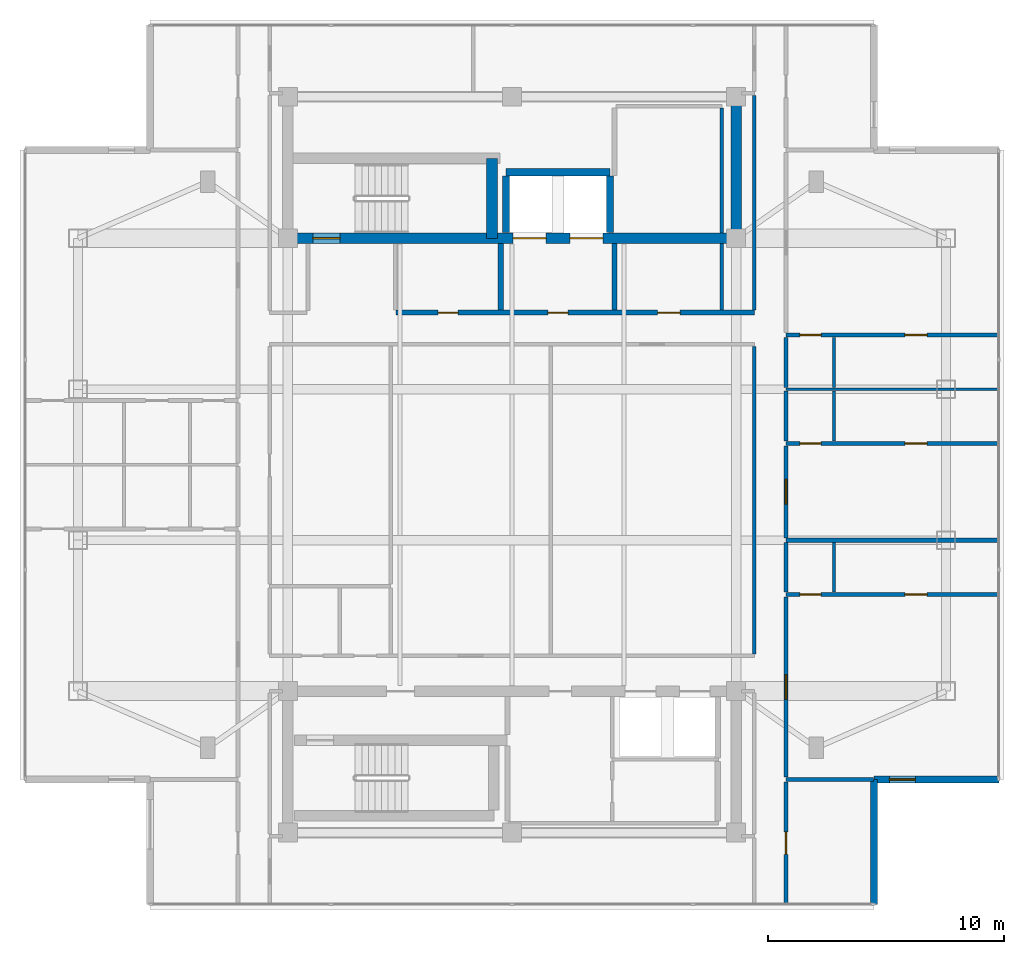
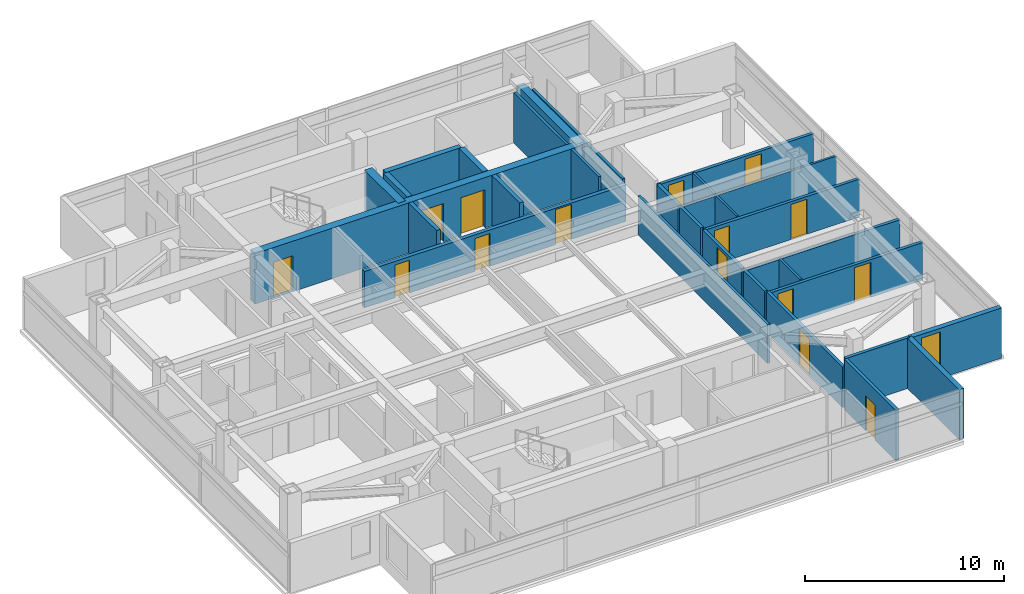
# One storey, part 8 of 12: 30 walls, 15 doors, 1 window, 16 openings.
"""IFC4 building model written with IfcOpenShell, lengths in metres."""

from ifc_helpers import new_model, si_unit, direction, frame, frame_2d, origin, place, context, subcontext, project, spatial, rectangle, extrude, material, layer, layer_set, type_object, element, fill, save


model = new_model("IFC4")

# Units and contexts
model_context = context("Model", 3, precision=1e-05, world=origin(), true_north=direction((0.0, 1.0)))
body_context = subcontext(model_context, "Body", "Model", "MODEL_VIEW")
ifc_project = project(units=[si_unit("LENGTHUNIT", "METRE"), si_unit("AREAUNIT", "SQUARE_METRE"), si_unit("VOLUMEUNIT", "CUBIC_METRE"), si_unit("PLANEANGLEUNIT", "RADIAN"), si_unit("MASSUNIT", "GRAM", prefix="KILO")], contexts=[model_context])

# Site, building, storey
site_placement = place(None, origin())
site = spatial("IfcSite", under=ifc_project, at=site_placement, CompositionType="ELEMENT")
building_placement = place(site_placement, origin())
building = spatial("IfcBuilding", under=site, at=building_placement, Name="Mirazonda Arch Towers", CompositionType="ELEMENT")
storey_placement = place(building_placement, frame((0.0, 0.0, 226.0)))
storey = spatial("IfcBuildingStorey", under=building, at=storey_placement, Name="L64", CompositionType="ELEMENT", Elevation=226.0)

# Wall
ifc_material_1 = material(Name="Concrete C50/60", Category="concrete")
ifc_layer_1 = layer(ifc_material_1, 0.449951171875, Name="WALL-CORE-450")
ifc_layer_set_1 = layer_set([ifc_layer_1], Name="Concrete C50/60")
wall_type_1 = type_object("IfcWallType", Name="WALL-CORE-450", PredefinedType="SHEAR", material=ifc_layer_set_1)
wall_1_placement = place(storey_placement, frame((30.0, 37.60009765625, 0.0), z_axis=(0.0, 0.0, 1.0), x_axis=(0.0, 1.0, 0.0)))
element("IfcWall", 1, at=wall_1_placement, inside=storey, type_object=wall_type_1, Name="L64 T1N-E Core Shear Wall", PredefinedType="SHEAR", context=body_context, shape_type="SweptSolid", body=[
    extrude(rectangle(XDim=6.0, YDim=0.449951171875, at=frame_2d((3.0, 0.0))), origin(), (0.0, 0.0, 1.0), 3.10009765625),
])

# Wall, openings, doors
wall_2_placement = place(storey_placement, frame((11.0, 37.60009765625, 0.0), z_axis=(0.0, 0.0, 1.0), x_axis=(1.0, 0.0, 0.0)))
wall_2 = element("IfcWall", 2, at=wall_2_placement, inside=storey, type_object=wall_type_1, Name="L64 T1N-S Core Shear Wall", PredefinedType="SHEAR", context=body_context, shape_type="SweptSolid", body=[
    extrude(rectangle(XDim=19.0, YDim=0.449951171875, at=frame_2d((9.5, 0.0))), origin(), (0.0, 0.0, 1.0), 3.10009765625),
])
opening_1_placement = place(wall_2_placement, frame((1.06005859375, 0.0, 0.0)))
opening_1 = element("IfcOpeningElement", 3, at=opening_1_placement, cuts=wall_2, Name="Opening DR-135", PredefinedType="OPENING", context=body_context, shape_type="SweptSolid", body=[
    extrude(rectangle(XDim=1.14990234375, YDim=2.199951171875, at=frame_2d((0.574951171875, 1.10009765625))), frame((0.0, 0.23486328125, 0.0), z_axis=(0.0, -1.0, 0.0), x_axis=(1.0, 0.0, 0.0)), (0.0, 0.0, 1.0), 0.469970703125),
])
opening_2_placement = place(wall_2_placement, frame((9.550048828125, 0.0, 0.0)))
opening_2 = element("IfcOpeningElement", 4, at=opening_2_placement, cuts=wall_2, Name="Opening LD-112", PredefinedType="OPENING", context=body_context, shape_type="SweptSolid", body=[
    extrude(rectangle(XDim=1.39990234375, YDim=2.35009765625, at=frame_2d((0.699951171875, 1.175048828125))), frame((0.0, 0.23486328125, 0.0), z_axis=(0.0, -1.0, 0.0), x_axis=(1.0, 0.0, 0.0)), (0.0, 0.0, 1.0), 0.469970703125),
])
opening_3_placement = place(wall_2_placement, frame((11.949951171875, 0.0, 0.0)))
opening_3 = element("IfcOpeningElement", 5, at=opening_3_placement, cuts=wall_2, Name="Opening LD-112", PredefinedType="OPENING", context=body_context, shape_type="SweptSolid", body=[
    extrude(rectangle(XDim=1.39990234375, YDim=2.35009765625, at=frame_2d((0.699951171875, 1.175048828125))), frame((0.0, 0.23486328125, 0.0), z_axis=(0.0, -1.0, 0.0), x_axis=(1.0, 0.0, 0.0)), (0.0, 0.0, 1.0), 0.469970703125),
])
ifc_material_2 = material(Name="Architectural Brushed Steel S355", Category="steel")
door_type_1 = type_object("IfcDoorType", Name="DOOR-LIFT-FFL-1400", OperationType="NOTDEFINED", PredefinedType="DOOR", material=ifc_material_2)
door_1_placement = place(opening_2_placement, origin())
door_1 = element("IfcDoor", 6, at=door_1_placement, inside=storey, type_object=door_type_1, Name="L64 Lift Landing Sliding Door FFL-T1", OperationType="DOUBLE_DOOR_SLIDING", OverallHeight=2.35009765625, OverallWidth=1.39990234375, PredefinedType="DOOR", context=body_context, shape_type="SweptSolid", body=[
    extrude(rectangle(XDim=1.39990234375, YDim=2.35009765625, at=frame_2d((0.699951171875, 1.175048828125))), frame((0.0, 0.02490234375, 0.0), z_axis=(0.0, -1.0, 0.0), x_axis=(1.0, 0.0, 0.0)), (0.0, 0.0, 1.0), 0.050048828125),
])
fill(opening_2, door_1)
door_2_placement = place(opening_3_placement, origin())
door_2 = element("IfcDoor", 7, at=door_2_placement, inside=storey, type_object=door_type_1, Name="L64 Lift Landing Sliding Door SVL-T1", OperationType="DOUBLE_DOOR_SLIDING", OverallHeight=2.35009765625, OverallWidth=1.39990234375, PredefinedType="DOOR", context=body_context, shape_type="SweptSolid", body=[
    extrude(rectangle(XDim=1.39990234375, YDim=2.35009765625, at=frame_2d((0.699951171875, 1.175048828125))), frame((0.0, 0.02490234375, 0.0), z_axis=(0.0, -1.0, 0.0), x_axis=(1.0, 0.0, 0.0)), (0.0, 0.0, 1.0), 0.050048828125),
])
fill(opening_3, door_2)
door_type_2 = type_object("IfcDoorType", Name="DOOR-STAIR-FD90-1150", OperationType="NOTDEFINED", PredefinedType="DOOR", material=ifc_material_2)
door_3_placement = place(opening_1_placement, origin())
door_3 = element("IfcDoor", 8, at=door_3_placement, inside=storey, type_object=door_type_2, Name="L64 Protected Exit Stair North Door", OperationType="SINGLE_SWING_RIGHT", OverallHeight=2.199951171875, OverallWidth=1.14990234375, PredefinedType="DOOR", context=body_context, shape_type="SweptSolid", body=[
    extrude(rectangle(XDim=1.14990234375, YDim=2.199951171875, at=frame_2d((0.574951171875, 1.10009765625))), frame((0.0, 0.02490234375, 0.0), z_axis=(0.0, -1.0, 0.0), x_axis=(1.0, 0.0, 0.0)), (0.0, 0.0, 1.0), 0.050048828125),
])
fill(opening_1, door_3)

# Wall
wall_3_placement = place(storey_placement, frame((19.64990234375, 37.60009765625, 0.0), z_axis=(0.0, 0.0, 1.0), x_axis=(0.0, 1.0, 0.0)))
element("IfcWall", 9, at=wall_3_placement, inside=storey, type_object=wall_type_1, Name="L64 T1N-STE Core Shear Wall", PredefinedType="SHEAR", context=body_context, shape_type="SweptSolid", body=[
    extrude(rectangle(XDim=3.392822265625, YDim=0.449951171875, at=frame_2d((1.6962890625, 0.0))), origin(), (0.0, 0.0, 1.0), 3.10009765625),
])

# Wall, opening, window
ifc_material_3 = material(Name="Precast Concrete C40/50", Category="concrete")
ifc_layer_2 = layer(ifc_material_3, 0.280029296875, Name="WALL-EXT-WALL-280")
ifc_layer_set_2 = layer_set([ifc_layer_2], Name="Precast Concrete C40/50")
wall_type_2 = type_object("IfcWallType", Name="WALL-EXT-WALL-280", PredefinedType="SOLIDWALL", material=ifc_layer_set_2)
wall_4_placement = place(storey_placement, frame((35.85009765625, 14.654052734375, 0.0), z_axis=(0.0, 0.0, 1.0), x_axis=(1.0, 0.0, 0.0)))
wall_4 = element("IfcWall", 10, at=wall_4_placement, inside=storey, type_object=wall_type_2, Name="L64 T1 Corner Notch Return Wall WL-L64-T1-CSE1", PredefinedType="SOLIDWALL", context=body_context, shape_type="SweptSolid", body=[
    extrude(rectangle(XDim=5.289794921875, YDim=0.280029296875, at=frame_2d((2.64501953125, 0.0))), origin(), (0.0, 0.0, 1.0), 3.080078125),
])
opening_4_placement = place(wall_4_placement, frame((0.64990234375, 0.0, 0.85009765625)))
opening_4 = element("IfcOpeningElement", 11, at=opening_4_placement, cuts=wall_4, Name="Opening WN-108", PredefinedType="OPENING", context=body_context, shape_type="SweptSolid", body=[
    extrude(rectangle(XDim=1.10009765625, YDim=2.0, at=frame_2d((0.550048828125, 1.0))), frame((0.0, 0.14990234375, 0.0), z_axis=(0.0, -1.0, 0.0), x_axis=(1.0, 0.0, 0.0)), (0.0, 0.0, 1.0), 0.300048828125),
])
ifc_material_4 = material(Name="Insulated Low-E Solar Glass", Category="glass")
window_type = type_object("IfcWindowType", Name="WIN-NOTCH-1100x2000", PartitioningType="SINGLE_PANEL", PredefinedType="WINDOW", material=ifc_material_4)
window_placement = place(opening_4_placement, origin())
window = element("IfcWindow", 12, at=window_placement, inside=storey, type_object=window_type, Name="L64 Punched Facade Window WN-L64-T1-CSE1", OverallHeight=2.0, OverallWidth=1.10009765625, PartitioningType="SINGLE_PANEL", PredefinedType="WINDOW", context=body_context, shape_type="SweptSolid", body=[
    extrude(rectangle(XDim=1.10009765625, YDim=2.0, at=frame_2d((0.550048828125, 1.0))), frame((0.0, 0.030029296875, 0.0), z_axis=(0.0, -1.0, 0.0), x_axis=(1.0, 0.0, 0.0)), (0.0, 0.0, 1.0), 0.06005859375),
])
fill(opening_4, window)

# Wall
wall_5_placement = place(storey_placement, frame((35.85009765625, 9.364013671875, 0.0), z_axis=(0.0, 0.0, 1.0), x_axis=(0.0, 1.0, 0.0)))
element("IfcWall", 13, at=wall_5_placement, inside=storey, type_object=wall_type_2, Name="L64 T1 Corner Notch Return Wall WL-L64-T1-CSE2", PredefinedType="SOLIDWALL", context=body_context, shape_type="SweptSolid", body=[
    extrude(rectangle(XDim=5.2900390625, YDim=0.280029296875, at=frame_2d((2.64501953125, 0.0))), origin(), (0.0, 0.0, 1.0), 3.080078125),
])

# Wall, openings, doors
ifc_material_5 = material(Name="Concrete C40/50", Category="concrete")
ifc_layer_3 = layer(ifc_material_5, 0.219970703125, Name="WALL-FFL-220")
ifc_layer_set_3 = layer_set([ifc_layer_3], Name="Concrete C40/50")
wall_type_3 = type_object("IfcWallType", Name="WALL-FFL-220", PredefinedType="SOLIDWALL", material=ifc_layer_set_3)
wall_6_placement = place(storey_placement, frame((15.590087890625, 34.449951171875, 0.0), z_axis=(0.0, 0.0, 1.0), x_axis=(1.0, 0.0, 0.0)))
wall_6 = element("IfcWall", 14, at=wall_6_placement, inside=storey, type_object=wall_type_3, Name="L64 Interior Partition 023", PredefinedType="SOLIDWALL", context=body_context, shape_type="SweptSolid", body=[
    extrude(rectangle(XDim=15.18994140625, YDim=0.219970703125, at=frame_2d((7.594970703125, 0.0))), origin(), (0.0, 0.0, 1.0), 2.236083984375),
])
opening_5_placement = place(wall_6_placement, frame((6.43505859375, 0.0, 0.0)))
opening_5 = element("IfcOpeningElement", 15, at=opening_5_placement, cuts=wall_6, Name="Opening DR-128", PredefinedType="OPENING", context=body_context, shape_type="SweptSolid", body=[
    extrude(rectangle(XDim=0.85009765625, YDim=2.010009765625, at=frame_2d((0.425048828125, 1.0048828125))), frame((0.0, 0.119873046875, 0.0), z_axis=(0.0, -1.0, 0.0), x_axis=(1.0, 0.0, 0.0)), (0.0, 0.0, 1.0), 0.239990234375),
])
opening_6_placement = place(wall_6_placement, frame((11.0849609375, 0.0, 0.0)))
opening_6 = element("IfcOpeningElement", 16, at=opening_6_placement, cuts=wall_6, Name="Opening DR-104", PredefinedType="OPENING", context=body_context, shape_type="SweptSolid", body=[
    extrude(rectangle(XDim=0.949951171875, YDim=2.14990234375, at=frame_2d((0.47509765625, 1.074951171875))), frame((0.0, 0.119873046875, 0.0), z_axis=(0.0, -1.0, 0.0), x_axis=(1.0, 0.0, 0.0)), (0.0, 0.0, 1.0), 0.239990234375),
])
opening_7_placement = place(wall_6_placement, frame((1.77490234375, 0.0, 0.0)))
opening_7 = element("IfcOpeningElement", 17, at=opening_7_placement, cuts=wall_6, Name="Opening DR-128", PredefinedType="OPENING", context=body_context, shape_type="SweptSolid", body=[
    extrude(rectangle(XDim=0.85009765625, YDim=2.010009765625, at=frame_2d((0.425048828125, 1.0048828125))), frame((0.0, 0.119873046875, 0.0), z_axis=(0.0, -1.0, 0.0), x_axis=(1.0, 0.0, 0.0)), (0.0, 0.0, 1.0), 0.239990234375),
])
door_type_3 = type_object("IfcDoorType", Name="DOOR-RISER-FD60-850", OperationType="NOTDEFINED", PredefinedType="DOOR", material=ifc_material_2)
door_4_placement = place(opening_5_placement, origin())
door_4 = element("IfcDoor", 18, at=door_4_placement, inside=storey, type_object=door_type_3, Name="L64 Firefighting Lift Lobby Door", OperationType="SINGLE_SWING_LEFT", OverallHeight=2.010009765625, OverallWidth=0.85009765625, PredefinedType="DOOR", context=body_context, shape_type="SweptSolid", body=[
    extrude(rectangle(XDim=0.85009765625, YDim=2.010009765625, at=frame_2d((0.425048828125, 1.0048828125))), frame((0.0, 0.02490234375, 0.0), z_axis=(0.0, -1.0, 0.0), x_axis=(1.0, 0.0, 0.0)), (0.0, 0.0, 1.0), 0.050048828125),
])
fill(opening_5, door_4)
door_5_placement = place(opening_7_placement, origin())
door_5 = element("IfcDoor", 19, at=door_5_placement, inside=storey, type_object=door_type_3, Name="L64 Housekeeping Linen Room Door", OperationType="SINGLE_SWING_LEFT", OverallHeight=2.010009765625, OverallWidth=0.85009765625, PredefinedType="DOOR", context=body_context, shape_type="SweptSolid", body=[
    extrude(rectangle(XDim=0.85009765625, YDim=2.010009765625, at=frame_2d((0.425048828125, 1.0048828125))), frame((0.0, 0.02490234375, 0.0), z_axis=(0.0, -1.0, 0.0), x_axis=(1.0, 0.0, 0.0)), (0.0, 0.0, 1.0), 0.050048828125),
])
fill(opening_7, door_5)
door_type_4 = type_object("IfcDoorType", Name="DOOR-ROOM-950", OperationType="NOTDEFINED", PredefinedType="DOOR", material=ifc_material_2)
door_6_placement = place(opening_6_placement, origin())
door_6 = element("IfcDoor", 20, at=door_6_placement, inside=storey, type_object=door_type_4, Name="L64 Residents Private Art Gallery Door", OperationType="SINGLE_SWING_RIGHT", OverallHeight=2.14990234375, OverallWidth=0.949951171875, PredefinedType="DOOR", context=body_context, shape_type="SweptSolid", body=[
    extrude(rectangle(XDim=0.949951171875, YDim=2.14990234375, at=frame_2d((0.47509765625, 1.074951171875))), frame((0.0, 0.02490234375, 0.0), z_axis=(0.0, -1.0, 0.0), x_axis=(1.0, 0.0, 0.0)), (0.0, 0.0, 1.0), 0.050048828125),
])
fill(opening_6, door_6)

# Walls
for number, where, z_axis, x_axis, name in (
    (21, (20.02490234375, 34.570068359375, 0.0), (0.0, 0.0, 1.0), (0.0, 1.0, 0.0), "L64 Interior Partition 053"),
    (22, (24.85009765625, 34.570068359375, 0.0), (0.0, 0.0, 1.0), (0.0, 1.0, 0.0), "L64 Interior Partition 061"),
):
    element("IfcWall", number, at=place(storey_placement, frame(where, z_axis=z_axis, x_axis=x_axis)), inside=storey, type_object=wall_type_3, Name=name, PredefinedType="SOLIDWALL", context=body_context, shape_type="SweptSolid", body=[
        extrude(rectangle(XDim=2.809814453125, YDim=0.219970703125, at=frame_2d((1.40478515625, 0.0))), origin(), (0.0, 0.0, 1.0), 3.10009765625),
    ])
ifc_material_6 = material(Name="Fire-Rated Gypsum Stud Partition")
ifc_layer_4 = layer(ifc_material_6, 0.14990234375, Name="WALL-PART-CORR-150")
ifc_layer_set_4 = layer_set([ifc_layer_4], Name="Fire-Rated Gypsum Stud Partition")
wall_type_4 = type_object("IfcWallType", Name="WALL-PART-CORR-150", PredefinedType="PARTITIONING", material=ifc_layer_set_4)
wall_7_placement = place(storey_placement, frame((29.39990234375, 34.570068359375, 0.0), z_axis=(0.0, 0.0, 1.0), x_axis=(0.0, 1.0, 0.0)))
element("IfcWall", 23, at=wall_7_placement, inside=storey, type_object=wall_type_4, Name="L64 Interior Partition 065", PredefinedType="PARTITIONING", context=body_context, shape_type="SweptSolid", body=[
    extrude(rectangle(XDim=2.809814453125, YDim=0.14990234375, at=frame_2d((1.40478515625, 0.0))), origin(), (0.0, 0.0, 1.0), 3.10009765625),
])
wall_8_placement = place(storey_placement, frame((29.39990234375, 37.820068359375, 0.0), z_axis=(0.0, 0.0, 1.0), x_axis=(0.0, 1.0, 0.0)))
element("IfcWall", 24, at=wall_8_placement, inside=storey, type_object=wall_type_4, Name="L64 Interior Partition 066", PredefinedType="PARTITIONING", context=body_context, shape_type="SweptSolid", body=[
    extrude(rectangle(XDim=5.294921875, YDim=0.14990234375, at=frame_2d((2.6474609375, 0.0))), origin(), (0.0, 0.0, 1.0), 3.10009765625),
])
wall_9_placement = place(storey_placement, frame((30.780029296875, 19.985107421875, 0.0), z_axis=(0.0, 0.0, 1.0), x_axis=(0.0, 1.0, 0.0)))
element("IfcWall", 25, at=wall_9_placement, inside=storey, type_object=wall_type_4, Name="L64 Interior Partition 069", PredefinedType="PARTITIONING", context=body_context, shape_type="SweptSolid", body=[
    extrude(rectangle(XDim=13.02978515625, YDim=0.14990234375, at=frame_2d((6.514892578125, 0.0))), origin(), (0.0, 0.0, 1.0), 2.39599609375),
])
wall_10_placement = place(storey_placement, frame((30.780029296875, 34.570068359375, 0.0), z_axis=(0.0, 0.0, 1.0), x_axis=(0.0, 1.0, 0.0)))
element("IfcWall", 26, at=wall_10_placement, inside=storey, type_object=wall_type_4, Name="L64 Interior Partition 070", PredefinedType="PARTITIONING", context=body_context, shape_type="SweptSolid", body=[
    extrude(rectangle(XDim=9.094970703125, YDim=0.14990234375, at=frame_2d((4.54736328125, 0.0))), origin(), (0.0, 0.0, 1.0), 2.491943359375),
])
ifc_material_7 = material(Name="Fire-Rated Gypsum Twin-Stud Assembly")
ifc_layer_5 = layer(ifc_material_7, 0.179931640625, Name="WALL-PART-DEMISE-180")
ifc_layer_set_5 = layer_set([ifc_layer_5], Name="Fire-Rated Gypsum Twin-Stud Assembly")
wall_type_5 = type_object("IfcWallType", Name="WALL-PART-DEMISE-180", PredefinedType="PARTITIONING", material=ifc_layer_set_5)
wall_11_placement = place(storey_placement, frame((32.1201171875, 14.654052734375, 0.0), z_axis=(0.0, 0.0, 1.0), x_axis=(1.0, 0.0, 0.0)))
element("IfcWall", 27, at=wall_11_placement, inside=storey, type_object=wall_type_5, Name="L64 Interior Partition 006", PredefinedType="PARTITIONING", context=body_context, shape_type="SweptSolid", body=[
    extrude(rectangle(XDim=3.7099609375, YDim=0.179931640625, at=frame_2d((1.85498046875, 0.0))), origin(), (0.0, 0.0, 1.0), 3.10009765625),
])

# Wall, openings, doors
wall_12_placement = place(storey_placement, frame((32.1201171875, 22.5, 0.0), z_axis=(0.0, 0.0, 1.0), x_axis=(1.0, 0.0, 0.0)))
wall_12 = element("IfcWall", 28, at=wall_12_placement, inside=storey, type_object=wall_type_5, Name="L64 Interior Partition 012", PredefinedType="PARTITIONING", context=body_context, shape_type="SweptSolid", body=[
    extrude(rectangle(XDim=9.019775390625, YDim=0.179931640625, at=frame_2d((4.509765625, 0.0))), origin(), (0.0, 0.0, 1.0), 2.319091796875),
])
opening_8_placement = place(wall_12_placement, frame((5.034912109375, 0.0, 0.0)))
opening_8 = element("IfcOpeningElement", 29, at=opening_8_placement, cuts=wall_12, Name="Opening DR-104", PredefinedType="OPENING", context=body_context, shape_type="SweptSolid", body=[
    extrude(rectangle(XDim=0.949951171875, YDim=2.14990234375, at=frame_2d((0.47509765625, 1.074951171875))), frame((0.0, 0.099853515625, 0.0), z_axis=(0.0, -1.0, 0.0), x_axis=(1.0, 0.0, 0.0)), (0.0, 0.0, 1.0), 0.199951171875),
])
opening_9_placement = place(wall_12_placement, frame((0.590087890625, 0.0, 0.0)))
opening_9 = element("IfcOpeningElement", 30, at=opening_9_placement, cuts=wall_12, Name="Opening DR-120", PredefinedType="OPENING", context=body_context, shape_type="SweptSolid", body=[
    extrude(rectangle(XDim=0.89990234375, YDim=2.10009765625, at=frame_2d((0.449951171875, 1.050048828125))), frame((0.0, 0.099853515625, 0.0), z_axis=(0.0, -1.0, 0.0), x_axis=(1.0, 0.0, 0.0)), (0.0, 0.0, 1.0), 0.199951171875),
])
door_7_placement = place(opening_8_placement, origin())
door_7 = element("IfcDoor", 31, at=door_7_placement, inside=storey, type_object=door_type_4, Name="L64 Studio 1 Galley Kitchen Door", OperationType="SINGLE_SWING_RIGHT", OverallHeight=2.14990234375, OverallWidth=0.949951171875, PredefinedType="DOOR", context=body_context, shape_type="SweptSolid", body=[
    extrude(rectangle(XDim=0.949951171875, YDim=2.14990234375, at=frame_2d((0.47509765625, 1.074951171875))), frame((0.0, 0.02490234375, 0.0), z_axis=(0.0, -1.0, 0.0), x_axis=(1.0, 0.0, 0.0)), (0.0, 0.0, 1.0), 0.050048828125),
])
fill(opening_8, door_7)
door_type_5 = type_object("IfcDoorType", Name="DOOR-WC-900", OperationType="NOTDEFINED", PredefinedType="DOOR", material=ifc_material_2)
door_8_placement = place(opening_9_placement, origin())
door_8 = element("IfcDoor", 32, at=door_8_placement, inside=storey, type_object=door_type_5, Name="L64 Studio 1 Bathroom Door", OperationType="SINGLE_SWING_LEFT", OverallHeight=2.10009765625, OverallWidth=0.89990234375, PredefinedType="DOOR", context=body_context, shape_type="SweptSolid", body=[
    extrude(rectangle(XDim=0.89990234375, YDim=2.10009765625, at=frame_2d((0.449951171875, 1.050048828125))), frame((0.0, 0.02490234375, 0.0), z_axis=(0.0, -1.0, 0.0), x_axis=(1.0, 0.0, 0.0)), (0.0, 0.0, 1.0), 0.050048828125),
])
fill(opening_9, door_8)

# Wall
wall_13_placement = place(storey_placement, frame((32.1201171875, 24.800048828125, 0.0), z_axis=(0.0, 0.0, 1.0), x_axis=(1.0, 0.0, 0.0)))
element("IfcWall", 33, at=wall_13_placement, inside=storey, type_object=wall_type_5, Name="L64 Interior Partition 014", PredefinedType="PARTITIONING", context=body_context, shape_type="SweptSolid", body=[
    extrude(rectangle(XDim=9.019775390625, YDim=0.179931640625, at=frame_2d((4.509765625, 0.0))), origin(), (0.0, 0.0, 1.0), 2.319091796875),
])

# Wall, openings, doors
wall_14_placement = place(storey_placement, frame((32.1201171875, 28.89990234375, 0.0), z_axis=(0.0, 0.0, 1.0), x_axis=(1.0, 0.0, 0.0)))
wall_14 = element("IfcWall", 34, at=wall_14_placement, inside=storey, type_object=wall_type_5, Name="L64 Interior Partition 017", PredefinedType="PARTITIONING", context=body_context, shape_type="SweptSolid", body=[
    extrude(rectangle(XDim=9.019775390625, YDim=0.179931640625, at=frame_2d((4.509765625, 0.0))), origin(), (0.0, 0.0, 1.0), 2.319091796875),
])
opening_10_placement = place(wall_14_placement, frame((5.034912109375, 0.0, 0.0)))
opening_10 = element("IfcOpeningElement", 35, at=opening_10_placement, cuts=wall_14, Name="Opening DR-104", PredefinedType="OPENING", context=body_context, shape_type="SweptSolid", body=[
    extrude(rectangle(XDim=0.949951171875, YDim=2.14990234375, at=frame_2d((0.47509765625, 1.074951171875))), frame((0.0, 0.099853515625, 0.0), z_axis=(0.0, -1.0, 0.0), x_axis=(1.0, 0.0, 0.0)), (0.0, 0.0, 1.0), 0.199951171875),
])
opening_11_placement = place(wall_14_placement, frame((0.590087890625, 0.0, 0.0)))
opening_11 = element("IfcOpeningElement", 36, at=opening_11_placement, cuts=wall_14, Name="Opening DR-120", PredefinedType="OPENING", context=body_context, shape_type="SweptSolid", body=[
    extrude(rectangle(XDim=0.89990234375, YDim=2.10009765625, at=frame_2d((0.449951171875, 1.050048828125))), frame((0.0, 0.099853515625, 0.0), z_axis=(0.0, -1.0, 0.0), x_axis=(1.0, 0.0, 0.0)), (0.0, 0.0, 1.0), 0.199951171875),
])
door_9_placement = place(opening_10_placement, origin())
door_9 = element("IfcDoor", 37, at=door_9_placement, inside=storey, type_object=door_type_4, Name="L64 Studio 2 Galley Kitchen Door", OperationType="SINGLE_SWING_LEFT", OverallHeight=2.14990234375, OverallWidth=0.949951171875, PredefinedType="DOOR", context=body_context, shape_type="SweptSolid", body=[
    extrude(rectangle(XDim=0.949951171875, YDim=2.14990234375, at=frame_2d((0.47509765625, 1.074951171875))), frame((0.0, 0.02490234375, 0.0), z_axis=(0.0, -1.0, 0.0), x_axis=(1.0, 0.0, 0.0)), (0.0, 0.0, 1.0), 0.050048828125),
])
fill(opening_10, door_9)
door_10_placement = place(opening_11_placement, origin())
door_10 = element("IfcDoor", 38, at=door_10_placement, inside=storey, type_object=door_type_5, Name="L64 Studio 2 Bathroom Door", OperationType="SINGLE_SWING_RIGHT", OverallHeight=2.10009765625, OverallWidth=0.89990234375, PredefinedType="DOOR", context=body_context, shape_type="SweptSolid", body=[
    extrude(rectangle(XDim=0.89990234375, YDim=2.10009765625, at=frame_2d((0.449951171875, 1.050048828125))), frame((0.0, 0.02490234375, 0.0), z_axis=(0.0, -1.0, 0.0), x_axis=(1.0, 0.0, 0.0)), (0.0, 0.0, 1.0), 0.050048828125),
])
fill(opening_11, door_10)

wall_15_placement = place(storey_placement, frame((32.1201171875, 33.5, 0.0), z_axis=(0.0, 0.0, 1.0), x_axis=(1.0, 0.0, 0.0)))
wall_15 = element("IfcWall", 39, at=wall_15_placement, inside=storey, type_object=wall_type_5, Name="L64 Interior Partition 021", PredefinedType="PARTITIONING", context=body_context, shape_type="SweptSolid", body=[
    extrude(rectangle(XDim=9.019775390625, YDim=0.179931640625, at=frame_2d((4.509765625, 0.0))), origin(), (0.0, 0.0, 1.0), 2.319091796875),
])
opening_12_placement = place(wall_15_placement, frame((5.034912109375, 0.0, 0.0)))
opening_12 = element("IfcOpeningElement", 40, at=opening_12_placement, cuts=wall_15, Name="Opening DR-104", PredefinedType="OPENING", context=body_context, shape_type="SweptSolid", body=[
    extrude(rectangle(XDim=0.949951171875, YDim=2.14990234375, at=frame_2d((0.47509765625, 1.074951171875))), frame((0.0, 0.099853515625, 0.0), z_axis=(0.0, -1.0, 0.0), x_axis=(1.0, 0.0, 0.0)), (0.0, 0.0, 1.0), 0.199951171875),
])
opening_13_placement = place(wall_15_placement, frame((0.590087890625, 0.0, 0.0)))
opening_13 = element("IfcOpeningElement", 41, at=opening_13_placement, cuts=wall_15, Name="Opening DR-120", PredefinedType="OPENING", context=body_context, shape_type="SweptSolid", body=[
    extrude(rectangle(XDim=0.89990234375, YDim=2.10009765625, at=frame_2d((0.449951171875, 1.050048828125))), frame((0.0, 0.099853515625, 0.0), z_axis=(0.0, -1.0, 0.0), x_axis=(1.0, 0.0, 0.0)), (0.0, 0.0, 1.0), 0.199951171875),
])
door_11_placement = place(opening_12_placement, origin())
door_11 = element("IfcDoor", 42, at=door_11_placement, inside=storey, type_object=door_type_4, Name="L64 Studio 3 Galley Kitchen Door", OperationType="SINGLE_SWING_RIGHT", OverallHeight=2.14990234375, OverallWidth=0.949951171875, PredefinedType="DOOR", context=body_context, shape_type="SweptSolid", body=[
    extrude(rectangle(XDim=0.949951171875, YDim=2.14990234375, at=frame_2d((0.47509765625, 1.074951171875))), frame((0.0, 0.02490234375, 0.0), z_axis=(0.0, -1.0, 0.0), x_axis=(1.0, 0.0, 0.0)), (0.0, 0.0, 1.0), 0.050048828125),
])
fill(opening_12, door_11)
door_12_placement = place(opening_13_placement, origin())
door_12 = element("IfcDoor", 43, at=door_12_placement, inside=storey, type_object=door_type_5, Name="L64 Studio 3 Bathroom Door", OperationType="SINGLE_SWING_LEFT", OverallHeight=2.10009765625, OverallWidth=0.89990234375, PredefinedType="DOOR", context=body_context, shape_type="SweptSolid", body=[
    extrude(rectangle(XDim=0.89990234375, YDim=2.10009765625, at=frame_2d((0.449951171875, 1.050048828125))), frame((0.0, 0.02490234375, 0.0), z_axis=(0.0, -1.0, 0.0), x_axis=(1.0, 0.0, 0.0)), (0.0, 0.0, 1.0), 0.050048828125),
])
fill(opening_13, door_12)

# Wall, opening, door
wall_16_placement = place(storey_placement, frame((32.1201171875, 9.364013671875, 0.0), z_axis=(0.0, 0.0, 1.0), x_axis=(0.0, 1.0, 0.0)))
wall_16 = element("IfcWall", 44, at=wall_16_placement, inside=storey, type_object=wall_type_5, Name="L64 Interior Partition 072", PredefinedType="PARTITIONING", context=body_context, shape_type="SweptSolid", body=[
    extrude(rectangle(XDim=5.18994140625, YDim=0.179931640625, at=frame_2d((2.594970703125, 0.0))), origin(), (0.0, 0.0, 1.0), 3.10009765625),
])
opening_14_placement = place(wall_16_placement, frame((2.1201171875, 0.0, 0.0)))
opening_14 = element("IfcOpeningElement", 45, at=opening_14_placement, cuts=wall_16, Name="Opening DR-104", PredefinedType="OPENING", context=body_context, shape_type="SweptSolid", body=[
    extrude(rectangle(XDim=0.949951171875, YDim=2.14990234375, at=frame_2d((0.47509765625, 1.074951171875))), frame((0.0, 0.099853515625, 0.0), z_axis=(0.0, -1.0, 0.0), x_axis=(1.0, 0.0, 0.0)), (0.0, 0.0, 1.0), 0.199951171875),
])
door_13_placement = place(opening_14_placement, origin())
door_13 = element("IfcDoor", 46, at=door_13_placement, inside=storey, type_object=door_type_4, Name="L64 South Panoramic Study Alcove East Door", OperationType="SINGLE_SWING_RIGHT", OverallHeight=2.14990234375, OverallWidth=0.949951171875, PredefinedType="DOOR", context=body_context, shape_type="SweptSolid", body=[
    extrude(rectangle(XDim=0.949951171875, YDim=2.14990234375, at=frame_2d((0.47509765625, 1.074951171875))), frame((0.0, 0.02490234375, 0.0), z_axis=(0.0, -1.0, 0.0), x_axis=(1.0, 0.0, 0.0)), (0.0, 0.0, 1.0), 0.050048828125),
])
fill(opening_14, door_13)

wall_17_placement = place(storey_placement, frame((32.1201171875, 14.75390625, 0.0), z_axis=(0.0, 0.0, 1.0), x_axis=(0.0, 1.0, 0.0)))
wall_17 = element("IfcWall", 47, at=wall_17_placement, inside=storey, type_object=wall_type_5, Name="L64 Interior Partition 073", PredefinedType="PARTITIONING", context=body_context, shape_type="SweptSolid", body=[
    extrude(rectangle(XDim=7.64599609375, YDim=0.179931640625, at=frame_2d((3.822998046875, 0.0))), origin(), (0.0, 0.0, 1.0), 2.491943359375),
])
opening_15_placement = place(wall_17_placement, frame((3.298095703125, 0.0, 0.0)))
opening_15 = element("IfcOpeningElement", 48, at=opening_15_placement, cuts=wall_17, Name="Opening DR-121", PredefinedType="OPENING", context=body_context, shape_type="SweptSolid", body=[
    extrude(rectangle(XDim=1.050048828125, YDim=2.199951171875, at=frame_2d((0.52490234375, 1.10009765625))), frame((0.0, 0.099853515625, 0.0), z_axis=(0.0, -1.0, 0.0), x_axis=(1.0, 0.0, 0.0)), (0.0, 0.0, 1.0), 0.199951171875),
])
door_type_6 = type_object("IfcDoorType", Name="DOOR-SUITE-FD60-1050", OperationType="NOTDEFINED", PredefinedType="DOOR", material=ifc_material_2)
door_14_placement = place(opening_15_placement, origin())
door_14 = element("IfcDoor", 49, at=door_14_placement, inside=storey, type_object=door_type_6, Name="L64 Studio Apartment 1 Living Salon Door", OperationType="SINGLE_SWING_LEFT", OverallHeight=2.199951171875, OverallWidth=1.050048828125, PredefinedType="DOOR", context=body_context, shape_type="SweptSolid", body=[
    extrude(rectangle(XDim=1.050048828125, YDim=2.199951171875, at=frame_2d((0.52490234375, 1.10009765625))), frame((0.0, 0.02490234375, 0.0), z_axis=(0.0, -1.0, 0.0), x_axis=(1.0, 0.0, 0.0)), (0.0, 0.0, 1.0), 0.050048828125),
])
fill(opening_15, door_14)

# Wall
wall_18_placement = place(storey_placement, frame((32.1201171875, 22.60009765625, 0.0), z_axis=(0.0, 0.0, 1.0), x_axis=(0.0, 1.0, 0.0)))
element("IfcWall", 50, at=wall_18_placement, inside=storey, type_object=wall_type_5, Name="L64 Interior Partition 074", PredefinedType="PARTITIONING", context=body_context, shape_type="SweptSolid", body=[
    extrude(rectangle(XDim=2.099853515625, YDim=0.179931640625, at=frame_2d((1.0498046875, 0.0))), origin(), (0.0, 0.0, 1.0), 2.39599609375),
])

# Wall, opening, door
wall_19_placement = place(storey_placement, frame((32.1201171875, 24.89990234375, 0.0), z_axis=(0.0, 0.0, 1.0), x_axis=(0.0, 1.0, 0.0)))
wall_19 = element("IfcWall", 51, at=wall_19_placement, inside=storey, type_object=wall_type_5, Name="L64 Interior Partition 075", PredefinedType="PARTITIONING", context=body_context, shape_type="SweptSolid", body=[
    extrude(rectangle(XDim=3.900146484375, YDim=0.179931640625, at=frame_2d((1.9501953125, 0.0))), origin(), (0.0, 0.0, 1.0), 2.39599609375),
])
opening_16_placement = place(wall_19_placement, frame((1.425048828125, 0.0, 0.0)))
opening_16 = element("IfcOpeningElement", 52, at=opening_16_placement, cuts=wall_19, Name="Opening DR-121", PredefinedType="OPENING", context=body_context, shape_type="SweptSolid", body=[
    extrude(rectangle(XDim=1.050048828125, YDim=2.199951171875, at=frame_2d((0.52490234375, 1.10009765625))), frame((0.0, 0.099853515625, 0.0), z_axis=(0.0, -1.0, 0.0), x_axis=(1.0, 0.0, 0.0)), (0.0, 0.0, 1.0), 0.199951171875),
])
door_15_placement = place(opening_16_placement, origin())
door_15 = element("IfcDoor", 53, at=door_15_placement, inside=storey, type_object=door_type_6, Name="L64 Studio Apartment 2 Living Salon Door", OperationType="SINGLE_SWING_RIGHT", OverallHeight=2.199951171875, OverallWidth=1.050048828125, PredefinedType="DOOR", context=body_context, shape_type="SweptSolid", body=[
    extrude(rectangle(XDim=1.050048828125, YDim=2.199951171875, at=frame_2d((0.52490234375, 1.10009765625))), frame((0.0, 0.02490234375, 0.0), z_axis=(0.0, -1.0, 0.0), x_axis=(1.0, 0.0, 0.0)), (0.0, 0.0, 1.0), 0.050048828125),
])
fill(opening_16, door_15)

# Walls
for number, where, z_axis, x_axis, name in (
    (54, (32.1201171875, 29.0, 0.0), (0.0, 0.0, 1.0), (0.0, 1.0, 0.0), "L64 Interior Partition 076"),
    (55, (32.1201171875, 31.2724609375, 0.0), (0.0, 0.0, 1.0), (0.0, 1.0, 0.0), "L64 Interior Partition 077"),
):
    element("IfcWall", number, at=place(storey_placement, frame(where, z_axis=z_axis, x_axis=x_axis)), inside=storey, type_object=wall_type_5, Name=name, PredefinedType="PARTITIONING", context=body_context, shape_type="SweptSolid", body=[
        extrude(rectangle(XDim=2.12744140625, YDim=0.179931640625, at=frame_2d((1.063720703125, 0.0))), origin(), (0.0, 0.0, 1.0), 2.39599609375),
    ])
ifc_material_8 = material(Name="Acoustic Fire-Rated Gypsum Partition")
ifc_layer_6 = layer(ifc_material_8, 0.125, Name="WALL-PART-UNIT-125")
ifc_layer_set_6 = layer_set([ifc_layer_6], Name="Acoustic Fire-Rated Gypsum Partition")
wall_type_6 = type_object("IfcWallType", Name="WALL-PART-UNIT-125", PredefinedType="PARTITIONING", material=ifc_layer_set_6)
wall_20_placement = place(storey_placement, frame((32.1201171875, 31.199951171875, 0.0), z_axis=(0.0, 0.0, 1.0), x_axis=(1.0, 0.0, 0.0)))
element("IfcWall", 56, at=wall_20_placement, inside=storey, type_object=wall_type_6, Name="L64 Interior Partition 019", PredefinedType="PARTITIONING", context=body_context, shape_type="SweptSolid", body=[
    extrude(rectangle(XDim=9.019775390625, YDim=0.125, at=frame_2d((4.509765625, 0.0))), origin(), (0.0, 0.0, 1.0), 2.319091796875),
])
wall_21_placement = place(storey_placement, frame((34.159912109375, 22.60009765625, 0.0), z_axis=(0.0, 0.0, 1.0), x_axis=(0.0, 1.0, 0.0)))
element("IfcWall", 57, at=wall_21_placement, inside=storey, type_object=wall_type_6, Name="L64 Interior Partition 080", PredefinedType="PARTITIONING", context=body_context, shape_type="SweptSolid", body=[
    extrude(rectangle(XDim=2.099853515625, YDim=0.125, at=frame_2d((1.0498046875, 0.0))), origin(), (0.0, 0.0, 1.0), 2.39599609375),
])
for number, where, z_axis, x_axis, name in (
    (58, (34.159912109375, 29.0, 0.0), (0.0, 0.0, 1.0), (0.0, 1.0, 0.0), "L64 Interior Partition 081"),
    (59, (34.159912109375, 31.2724609375, 0.0), (0.0, 0.0, 1.0), (0.0, 1.0, 0.0), "L64 Interior Partition 082"),
):
    element("IfcWall", number, at=place(storey_placement, frame(where, z_axis=z_axis, x_axis=x_axis)), inside=storey, type_object=wall_type_6, Name=name, PredefinedType="PARTITIONING", context=body_context, shape_type="SweptSolid", body=[
        extrude(rectangle(XDim=2.12744140625, YDim=0.125, at=frame_2d((1.063720703125, 0.0))), origin(), (0.0, 0.0, 1.0), 2.39599609375),
    ])
ifc_layer_7 = layer(ifc_material_1, 0.300048828125, Name="WALL-SHAFT-300")
ifc_layer_set_7 = layer_set([ifc_layer_7], Name="Concrete C50/60")
wall_type_7 = type_object("IfcWallType", Name="WALL-SHAFT-300", PredefinedType="SOLIDWALL", material=ifc_layer_set_7)
wall_22_placement = place(storey_placement, frame((20.25, 40.39990234375, 0.0), z_axis=(0.0, 0.0, 1.0), x_axis=(1.0, 0.0, 0.0)))
element("IfcWall", 60, at=wall_22_placement, inside=storey, type_object=wall_type_7, Name="L64 Interior Partition 024", PredefinedType="SOLIDWALL", context=body_context, shape_type="SweptSolid", body=[
    extrude(rectangle(XDim=4.39990234375, YDim=0.300048828125, at=frame_2d((2.199951171875, 0.0))), origin(), (0.0, 0.0, 1.0), 3.10009765625),
])
for number, where, z_axis, x_axis, name in (
    (61, (20.25, 37.85009765625, 0.0), (0.0, 0.0, 1.0), (0.0, 1.0, 0.0), "L64 Interior Partition 056"),
    (62, (24.64990234375, 37.85009765625, 0.0), (0.0, 0.0, 1.0), (0.0, 1.0, 0.0), "L64 Interior Partition 060"),
):
    element("IfcWall", number, at=place(storey_placement, frame(where, z_axis=z_axis, x_axis=x_axis)), inside=storey, type_object=wall_type_7, Name=name, PredefinedType="SOLIDWALL", context=body_context, shape_type="SweptSolid", body=[
        extrude(rectangle(XDim=2.389892578125, YDim=0.300048828125, at=frame_2d((1.19482421875, 0.0))), origin(), (0.0, 0.0, 1.0), 3.10009765625),
    ])

save(model, "model.ifc")
